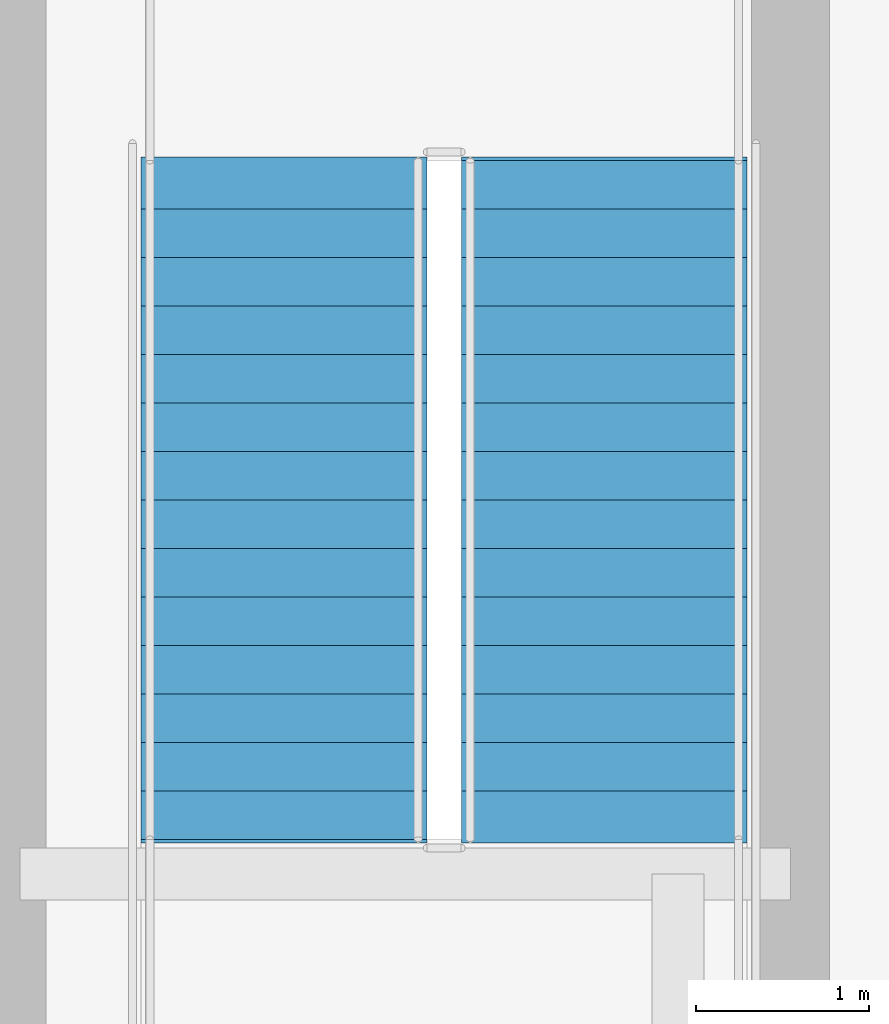
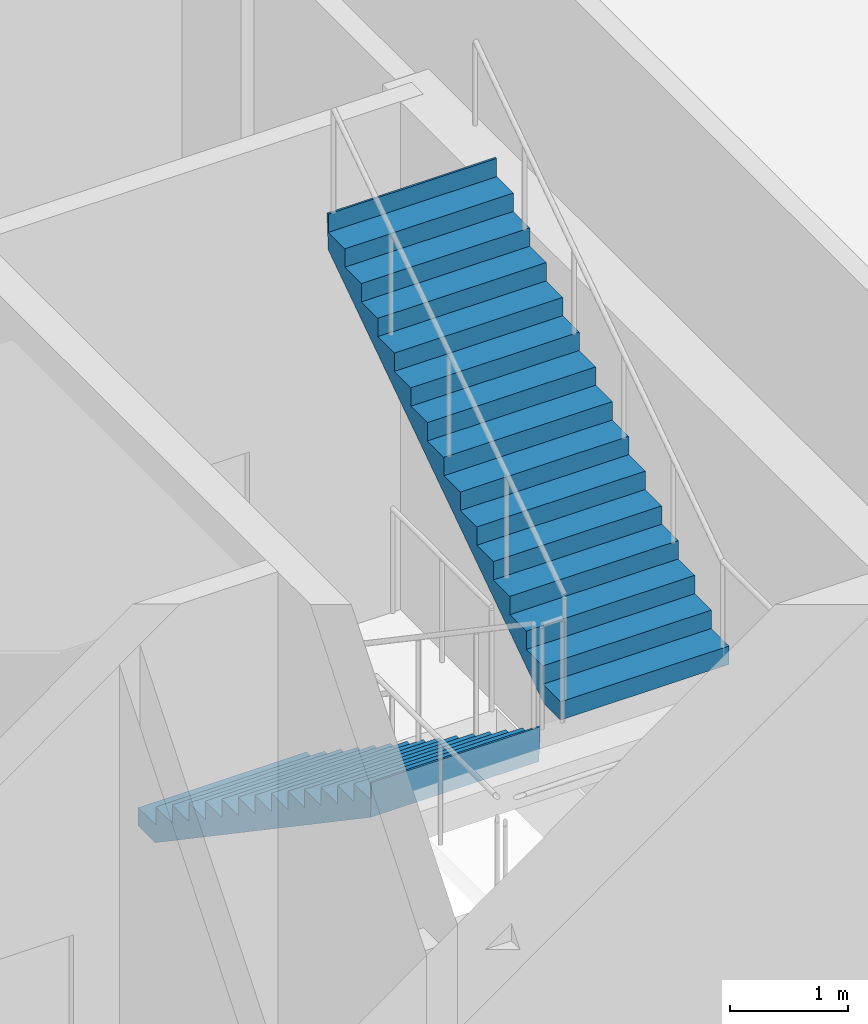
# One storey, part 6 of 9: 2 stair flights, 1 element without a shape of its own.
"""IFC4 building model written with IfcOpenShell, lengths in metres."""

from ifc_helpers import new_model, si_unit, direction, frame, origin, place, context, subcontext, project, spatial, polygons, material, type_object, element, aggregate, save


model = new_model("IFC4")

# Units and contexts
model_context = context("Model", 3, precision=1e-05, world=origin(), true_north=direction((0.0, 1.0)))
body_context = subcontext(model_context, "Body", "Model", "MODEL_VIEW")
ifc_project = project(units=[si_unit("LENGTHUNIT", "METRE"), si_unit("AREAUNIT", "SQUARE_METRE"), si_unit("VOLUMEUNIT", "CUBIC_METRE"), si_unit("PLANEANGLEUNIT", "RADIAN"), si_unit("MASSUNIT", "GRAM", prefix="KILO")], contexts=[model_context])

# Site, building, storey
site_placement = place(None, origin())
site = spatial("IfcSite", under=ifc_project, at=site_placement, CompositionType="ELEMENT")
building_placement = place(site_placement, origin())
building = spatial("IfcBuilding", under=site, at=building_placement, Name="Serunith Strait Residences", CompositionType="ELEMENT")
storey_placement = place(building_placement, frame((0.0, 0.0, 21.0)))
storey = spatial("IfcBuildingStorey", under=building, at=storey_placement, Name="L04", CompositionType="ELEMENT", Elevation=21.0)

# Stair, stair flights
ifc_material = material(Name="Concrete C50/60", Category="concrete")
stair_type = type_object("IfcStairType", Name="STR-CORE-2", PredefinedType="HALF_TURN_STAIR", material=ifc_material)
stair_placement = place(storey_placement, origin())
stair = element("IfcStair", 1, at=stair_placement, inside=storey, type_object=stair_type, Name="L04 Protected Escape Stair ST-2", PredefinedType="HALF_TURN_STAIR")
stair_flight_type = type_object("IfcStairFlightType", Name="FLT-CORE-2", PredefinedType="STRAIGHT", material=ifc_material)
stair_flight_1_placement = place(storey_placement, frame((38.47509765625, 23.3701171875, 0.0), z_axis=(0.0, 0.0, 1.0), x_axis=(0.0, -1.0, 0.0)))
stair_flight_1 = element("IfcStairFlight", 2, at=stair_flight_1_placement, type_object=stair_flight_type, Name="ST-2 flight 1", NumberOfRisers=15, NumberOfTreads=14, PredefinedType="STRAIGHT", RiserHeight=0.19, TreadLength=0.28, context=body_context, shape_type="Tessellation", body=[
    polygons([(-0.02001953125, -0.824951171875, 0.0), (-0.02001953125, -0.824951171875, 0.18994140625), (0.280029296875, -0.824951171875, 0.18994140625), (0.280029296875, -0.824951171875, 0.3798828125), (0.56005859375, -0.824951171875, 0.3798828125), (0.56005859375, -0.824951171875, 0.570068359375), (0.840087890625, -0.824951171875, 0.570068359375), (0.840087890625, -0.824951171875, 0.760009765625), (1.1201171875, -0.824951171875, 0.760009765625), (1.1201171875, -0.824951171875, 0.949951171875), (1.39990234375, -0.824951171875, 0.949951171875), (1.39990234375, -0.824951171875, 1.139892578125), (1.679931640625, -0.824951171875, 1.139892578125), (1.679931640625, -0.824951171875, 1.330078125), (1.9599609375, -0.824951171875, 1.330078125), (1.9599609375, -0.824951171875, 1.52001953125), (2.239990234375, -0.824951171875, 1.52001953125), (2.239990234375, -0.824951171875, 1.7099609375), (2.52001953125, -0.824951171875, 1.7099609375), (2.52001953125, -0.824951171875, 1.89990234375), (2.800048828125, -0.824951171875, 1.89990234375), (2.800048828125, -0.824951171875, 2.090087890625), (3.080078125, -0.824951171875, 2.090087890625), (3.080078125, -0.824951171875, 2.280029296875), (3.360107421875, -0.824951171875, 2.280029296875), (3.360107421875, -0.824951171875, 2.469970703125), (3.639892578125, -0.824951171875, 2.469970703125), (3.639892578125, -0.824951171875, 2.659912109375), (3.919921875, -0.824951171875, 2.659912109375), (3.919921875, -0.824951171875, 2.85009765625), (3.93994140625, -0.824951171875, 2.85009765625), (3.93994140625, -0.824951171875, 2.7900390625), (3.919921875, -0.824951171875, 2.478759765625), (0.266845703125, -0.824951171875, 0.0), (-0.02001953125, -0.41259765625, 0.0), (-0.02001953125, -0.41259765625, 0.18994140625), (0.280029296875, -0.41259765625, 0.18994140625), (0.280029296875, -0.41259765625, 0.3798828125), (0.56005859375, -0.41259765625, 0.3798828125), (0.56005859375, -0.41259765625, 0.570068359375), (0.840087890625, -0.41259765625, 0.570068359375), (0.840087890625, -0.41259765625, 0.760009765625), (1.1201171875, -0.41259765625, 0.760009765625), (1.1201171875, -0.41259765625, 0.949951171875), (1.39990234375, -0.41259765625, 0.949951171875), (1.39990234375, -0.41259765625, 1.139892578125), (1.679931640625, -0.41259765625, 1.139892578125), (1.679931640625, -0.41259765625, 1.330078125), (1.9599609375, -0.41259765625, 1.330078125), (1.9599609375, -0.41259765625, 1.52001953125), (2.239990234375, -0.41259765625, 1.52001953125), (2.239990234375, -0.41259765625, 1.7099609375), (2.52001953125, -0.41259765625, 1.7099609375), (2.52001953125, -0.41259765625, 1.89990234375), (2.800048828125, -0.41259765625, 1.89990234375), (2.800048828125, -0.41259765625, 2.090087890625), (3.080078125, -0.41259765625, 2.090087890625), (3.080078125, -0.41259765625, 2.280029296875), (3.360107421875, -0.41259765625, 2.280029296875), (3.360107421875, -0.41259765625, 2.469970703125), (3.639892578125, -0.41259765625, 2.469970703125), (3.639892578125, -0.41259765625, 2.659912109375), (3.919921875, -0.41259765625, 2.659912109375), (3.919921875, -0.41259765625, 2.85009765625), (3.93994140625, -0.41259765625, 2.85009765625), (3.93994140625, -0.41259765625, 2.7900390625), (3.919921875, -0.41259765625, 2.478759765625), (0.266845703125, -0.41259765625, 0.0), (-0.02001953125, 0.0, 0.0), (-0.02001953125, 0.0, 0.18994140625), (0.280029296875, 0.0, 0.18994140625), (0.280029296875, 0.0, 0.3798828125), (0.56005859375, 0.0, 0.3798828125), (0.56005859375, 0.0, 0.570068359375), (0.840087890625, 0.0, 0.570068359375), (0.840087890625, 0.0, 0.760009765625), (1.1201171875, 0.0, 0.760009765625), (1.1201171875, 0.0, 0.949951171875), (1.39990234375, 0.0, 0.949951171875), (1.39990234375, 0.0, 1.139892578125), (1.679931640625, 0.0, 1.139892578125), (1.679931640625, 0.0, 1.330078125), (1.9599609375, 0.0, 1.330078125), (1.9599609375, 0.0, 1.52001953125), (2.239990234375, 0.0, 1.52001953125), (2.239990234375, 0.0, 1.7099609375), (2.52001953125, 0.0, 1.7099609375), (2.52001953125, 0.0, 1.89990234375), (2.800048828125, 0.0, 1.89990234375), (2.800048828125, 0.0, 2.090087890625), (3.080078125, 0.0, 2.090087890625), (3.080078125, 0.0, 2.280029296875), (3.360107421875, 0.0, 2.280029296875), (3.360107421875, 0.0, 2.469970703125), (3.639892578125, 0.0, 2.469970703125), (3.639892578125, 0.0, 2.659912109375), (3.919921875, 0.0, 2.659912109375), (3.919921875, 0.0, 2.85009765625), (3.93994140625, 0.0, 2.85009765625), (3.93994140625, 0.0, 2.7900390625), (3.919921875, 0.0, 2.478759765625), (0.266845703125, 0.0, 0.0), (-0.02001953125, 0.41259765625, 0.0), (-0.02001953125, 0.41259765625, 0.18994140625), (0.280029296875, 0.41259765625, 0.18994140625), (0.280029296875, 0.41259765625, 0.3798828125), (0.56005859375, 0.41259765625, 0.3798828125), (0.56005859375, 0.41259765625, 0.570068359375), (0.840087890625, 0.41259765625, 0.570068359375), (0.840087890625, 0.41259765625, 0.760009765625), (1.1201171875, 0.41259765625, 0.760009765625), (1.1201171875, 0.41259765625, 0.949951171875), (1.39990234375, 0.41259765625, 0.949951171875), (1.39990234375, 0.41259765625, 1.139892578125), (1.679931640625, 0.41259765625, 1.139892578125), (1.679931640625, 0.41259765625, 1.330078125), (1.9599609375, 0.41259765625, 1.330078125), (1.9599609375, 0.41259765625, 1.52001953125), (2.239990234375, 0.41259765625, 1.52001953125), (2.239990234375, 0.41259765625, 1.7099609375), (2.52001953125, 0.41259765625, 1.7099609375), (2.52001953125, 0.41259765625, 1.89990234375), (2.800048828125, 0.41259765625, 1.89990234375), (2.800048828125, 0.41259765625, 2.090087890625), (3.080078125, 0.41259765625, 2.090087890625), (3.080078125, 0.41259765625, 2.280029296875), (3.360107421875, 0.41259765625, 2.280029296875), (3.360107421875, 0.41259765625, 2.469970703125), (3.639892578125, 0.41259765625, 2.469970703125), (3.639892578125, 0.41259765625, 2.659912109375), (3.919921875, 0.41259765625, 2.659912109375), (3.919921875, 0.41259765625, 2.85009765625), (3.93994140625, 0.41259765625, 2.85009765625), (3.93994140625, 0.41259765625, 2.7900390625), (3.919921875, 0.41259765625, 2.478759765625), (0.266845703125, 0.41259765625, 0.0), (-0.02001953125, 0.824951171875, 0.0), (-0.02001953125, 0.824951171875, 0.18994140625), (0.280029296875, 0.824951171875, 0.18994140625), (0.280029296875, 0.824951171875, 0.3798828125), (0.56005859375, 0.824951171875, 0.3798828125), (0.56005859375, 0.824951171875, 0.570068359375), (0.840087890625, 0.824951171875, 0.570068359375), (0.840087890625, 0.824951171875, 0.760009765625), (1.1201171875, 0.824951171875, 0.760009765625), (1.1201171875, 0.824951171875, 0.949951171875), (1.39990234375, 0.824951171875, 0.949951171875), (1.39990234375, 0.824951171875, 1.139892578125), (1.679931640625, 0.824951171875, 1.139892578125), (1.679931640625, 0.824951171875, 1.330078125), (1.9599609375, 0.824951171875, 1.330078125), (1.9599609375, 0.824951171875, 1.52001953125), (2.239990234375, 0.824951171875, 1.52001953125), (2.239990234375, 0.824951171875, 1.7099609375), (2.52001953125, 0.824951171875, 1.7099609375), (2.52001953125, 0.824951171875, 1.89990234375), (2.800048828125, 0.824951171875, 1.89990234375), (2.800048828125, 0.824951171875, 2.090087890625), (3.080078125, 0.824951171875, 2.090087890625), (3.080078125, 0.824951171875, 2.280029296875), (3.360107421875, 0.824951171875, 2.280029296875), (3.360107421875, 0.824951171875, 2.469970703125), (3.639892578125, 0.824951171875, 2.469970703125), (3.639892578125, 0.824951171875, 2.659912109375), (3.919921875, 0.824951171875, 2.659912109375), (3.919921875, 0.824951171875, 2.85009765625), (3.93994140625, 0.824951171875, 2.85009765625), (3.93994140625, 0.824951171875, 2.7900390625), (3.919921875, 0.824951171875, 2.478759765625), (0.266845703125, 0.824951171875, 0.0)], [[[1, 2, 36, 35]], [[2, 3, 37, 36]], [[3, 4, 38, 37]], [[4, 5, 39, 38]], [[5, 6, 40, 39]], [[6, 7, 41, 40]], [[7, 8, 42, 41]], [[8, 9, 43, 42]], [[9, 10, 44, 43]], [[10, 11, 45, 44]], [[11, 12, 46, 45]], [[12, 13, 47, 46]], [[13, 14, 48, 47]], [[14, 15, 49, 48]], [[15, 16, 50, 49]], [[16, 17, 51, 50]], [[17, 18, 52, 51]], [[18, 19, 53, 52]], [[19, 20, 54, 53]], [[20, 21, 55, 54]], [[21, 22, 56, 55]], [[22, 23, 57, 56]], [[23, 24, 58, 57]], [[24, 25, 59, 58]], [[25, 26, 60, 59]], [[26, 27, 61, 60]], [[27, 28, 62, 61]], [[28, 29, 63, 62]], [[29, 30, 64, 63]], [[30, 31, 65, 64]], [[31, 32, 66, 65]], [[32, 33, 67, 66]], [[33, 34, 68, 67]], [[34, 1, 35, 68]], [[35, 36, 70, 69]], [[36, 37, 71, 70]], [[37, 38, 72, 71]], [[38, 39, 73, 72]], [[39, 40, 74, 73]], [[40, 41, 75, 74]], [[41, 42, 76, 75]], [[42, 43, 77, 76]], [[43, 44, 78, 77]], [[44, 45, 79, 78]], [[45, 46, 80, 79]], [[46, 47, 81, 80]], [[47, 48, 82, 81]], [[48, 49, 83, 82]], [[49, 50, 84, 83]], [[50, 51, 85, 84]], [[51, 52, 86, 85]], [[52, 53, 87, 86]], [[53, 54, 88, 87]], [[54, 55, 89, 88]], [[55, 56, 90, 89]], [[56, 57, 91, 90]], [[57, 58, 92, 91]], [[58, 59, 93, 92]], [[59, 60, 94, 93]], [[60, 61, 95, 94]], [[61, 62, 96, 95]], [[62, 63, 97, 96]], [[63, 64, 98, 97]], [[64, 65, 99, 98]], [[65, 66, 100, 99]], [[66, 67, 101, 100]], [[67, 68, 102, 101]], [[68, 35, 69, 102]], [[69, 70, 104, 103]], [[70, 71, 105, 104]], [[71, 72, 106, 105]], [[72, 73, 107, 106]], [[73, 74, 108, 107]], [[74, 75, 109, 108]], [[75, 76, 110, 109]], [[76, 77, 111, 110]], [[77, 78, 112, 111]], [[78, 79, 113, 112]], [[79, 80, 114, 113]], [[80, 81, 115, 114]], [[81, 82, 116, 115]], [[82, 83, 117, 116]], [[83, 84, 118, 117]], [[84, 85, 119, 118]], [[85, 86, 120, 119]], [[86, 87, 121, 120]], [[87, 88, 122, 121]], [[88, 89, 123, 122]], [[89, 90, 124, 123]], [[90, 91, 125, 124]], [[91, 92, 126, 125]], [[92, 93, 127, 126]], [[93, 94, 128, 127]], [[94, 95, 129, 128]], [[95, 96, 130, 129]], [[96, 97, 131, 130]], [[97, 98, 132, 131]], [[98, 99, 133, 132]], [[99, 100, 134, 133]], [[100, 101, 135, 134]], [[101, 102, 136, 135]], [[102, 69, 103, 136]], [[103, 104, 138, 137]], [[104, 105, 139, 138]], [[105, 106, 140, 139]], [[106, 107, 141, 140]], [[107, 108, 142, 141]], [[108, 109, 143, 142]], [[109, 110, 144, 143]], [[110, 111, 145, 144]], [[111, 112, 146, 145]], [[112, 113, 147, 146]], [[113, 114, 148, 147]], [[114, 115, 149, 148]], [[115, 116, 150, 149]], [[116, 117, 151, 150]], [[117, 118, 152, 151]], [[118, 119, 153, 152]], [[119, 120, 154, 153]], [[120, 121, 155, 154]], [[121, 122, 156, 155]], [[122, 123, 157, 156]], [[123, 124, 158, 157]], [[124, 125, 159, 158]], [[125, 126, 160, 159]], [[126, 127, 161, 160]], [[127, 128, 162, 161]], [[128, 129, 163, 162]], [[129, 130, 164, 163]], [[130, 131, 165, 164]], [[131, 132, 166, 165]], [[132, 133, 167, 166]], [[133, 134, 168, 167]], [[134, 135, 169, 168]], [[135, 136, 170, 169]], [[136, 103, 137, 170]], [[34, 33, 32, 31, 30, 29, 28, 27, 26, 25, 24, 23, 22, 21, 20, 19, 18, 17, 16, 15, 14, 13, 12, 11, 10, 9, 8, 7, 6, 5, 4, 3, 2, 1]], [[137, 138, 139, 140, 141, 142, 143, 144, 145, 146, 147, 148, 149, 150, 151, 152, 153, 154, 155, 156, 157, 158, 159, 160, 161, 162, 163, 164, 165, 166, 167, 168, 169, 170]]], closed=True),
])
stair_flight_2_placement = place(storey_placement, frame((40.324951171875, 19.449951171875, 2.85009765625), z_axis=(0.0, 0.0, 1.0), x_axis=(0.0, 1.0, 0.0)))
stair_flight_2 = element("IfcStairFlight", 3, at=stair_flight_2_placement, type_object=stair_flight_type, Name="ST-2 flight 2", NumberOfRisers=15, NumberOfTreads=14, PredefinedType="STRAIGHT", RiserHeight=0.19, TreadLength=0.28, context=body_context, shape_type="Tessellation", body=[
    polygons([(-0.02001953125, -0.824951171875, 0.0), (-0.02001953125, -0.824951171875, 0.18994140625), (0.280029296875, -0.824951171875, 0.18994140625), (0.280029296875, -0.824951171875, 0.3798828125), (0.56005859375, -0.824951171875, 0.3798828125), (0.56005859375, -0.824951171875, 0.570068359375), (0.840087890625, -0.824951171875, 0.570068359375), (0.840087890625, -0.824951171875, 0.760009765625), (1.1201171875, -0.824951171875, 0.760009765625), (1.1201171875, -0.824951171875, 0.949951171875), (1.39990234375, -0.824951171875, 0.949951171875), (1.39990234375, -0.824951171875, 1.139892578125), (1.679931640625, -0.824951171875, 1.139892578125), (1.679931640625, -0.824951171875, 1.330078125), (1.9599609375, -0.824951171875, 1.330078125), (1.9599609375, -0.824951171875, 1.52001953125), (2.239990234375, -0.824951171875, 1.52001953125), (2.239990234375, -0.824951171875, 1.7099609375), (2.52001953125, -0.824951171875, 1.7099609375), (2.52001953125, -0.824951171875, 1.89990234375), (2.800048828125, -0.824951171875, 1.89990234375), (2.800048828125, -0.824951171875, 2.090087890625), (3.080078125, -0.824951171875, 2.090087890625), (3.080078125, -0.824951171875, 2.280029296875), (3.360107421875, -0.824951171875, 2.280029296875), (3.360107421875, -0.824951171875, 2.469970703125), (3.639892578125, -0.824951171875, 2.469970703125), (3.639892578125, -0.824951171875, 2.659912109375), (3.919921875, -0.824951171875, 2.659912109375), (3.919921875, -0.824951171875, 2.85009765625), (3.93994140625, -0.824951171875, 2.85009765625), (3.93994140625, -0.824951171875, 2.7900390625), (3.919921875, -0.824951171875, 2.478759765625), (0.266845703125, -0.824951171875, 0.0), (-0.02001953125, -0.41259765625, 0.0), (-0.02001953125, -0.41259765625, 0.18994140625), (0.280029296875, -0.41259765625, 0.18994140625), (0.280029296875, -0.41259765625, 0.3798828125), (0.56005859375, -0.41259765625, 0.3798828125), (0.56005859375, -0.41259765625, 0.570068359375), (0.840087890625, -0.41259765625, 0.570068359375), (0.840087890625, -0.41259765625, 0.760009765625), (1.1201171875, -0.41259765625, 0.760009765625), (1.1201171875, -0.41259765625, 0.949951171875), (1.39990234375, -0.41259765625, 0.949951171875), (1.39990234375, -0.41259765625, 1.139892578125), (1.679931640625, -0.41259765625, 1.139892578125), (1.679931640625, -0.41259765625, 1.330078125), (1.9599609375, -0.41259765625, 1.330078125), (1.9599609375, -0.41259765625, 1.52001953125), (2.239990234375, -0.41259765625, 1.52001953125), (2.239990234375, -0.41259765625, 1.7099609375), (2.52001953125, -0.41259765625, 1.7099609375), (2.52001953125, -0.41259765625, 1.89990234375), (2.800048828125, -0.41259765625, 1.89990234375), (2.800048828125, -0.41259765625, 2.090087890625), (3.080078125, -0.41259765625, 2.090087890625), (3.080078125, -0.41259765625, 2.280029296875), (3.360107421875, -0.41259765625, 2.280029296875), (3.360107421875, -0.41259765625, 2.469970703125), (3.639892578125, -0.41259765625, 2.469970703125), (3.639892578125, -0.41259765625, 2.659912109375), (3.919921875, -0.41259765625, 2.659912109375), (3.919921875, -0.41259765625, 2.85009765625), (3.93994140625, -0.41259765625, 2.85009765625), (3.93994140625, -0.41259765625, 2.7900390625), (3.919921875, -0.41259765625, 2.478759765625), (0.266845703125, -0.41259765625, 0.0), (-0.02001953125, 0.0, 0.0), (-0.02001953125, 0.0, 0.18994140625), (0.280029296875, 0.0, 0.18994140625), (0.280029296875, 0.0, 0.3798828125), (0.56005859375, 0.0, 0.3798828125), (0.56005859375, 0.0, 0.570068359375), (0.840087890625, 0.0, 0.570068359375), (0.840087890625, 0.0, 0.760009765625), (1.1201171875, 0.0, 0.760009765625), (1.1201171875, 0.0, 0.949951171875), (1.39990234375, 0.0, 0.949951171875), (1.39990234375, 0.0, 1.139892578125), (1.679931640625, 0.0, 1.139892578125), (1.679931640625, 0.0, 1.330078125), (1.9599609375, 0.0, 1.330078125), (1.9599609375, 0.0, 1.52001953125), (2.239990234375, 0.0, 1.52001953125), (2.239990234375, 0.0, 1.7099609375), (2.52001953125, 0.0, 1.7099609375), (2.52001953125, 0.0, 1.89990234375), (2.800048828125, 0.0, 1.89990234375), (2.800048828125, 0.0, 2.090087890625), (3.080078125, 0.0, 2.090087890625), (3.080078125, 0.0, 2.280029296875), (3.360107421875, 0.0, 2.280029296875), (3.360107421875, 0.0, 2.469970703125), (3.639892578125, 0.0, 2.469970703125), (3.639892578125, 0.0, 2.659912109375), (3.919921875, 0.0, 2.659912109375), (3.919921875, 0.0, 2.85009765625), (3.93994140625, 0.0, 2.85009765625), (3.93994140625, 0.0, 2.7900390625), (3.919921875, 0.0, 2.478759765625), (0.266845703125, 0.0, 0.0), (-0.02001953125, 0.41259765625, 0.0), (-0.02001953125, 0.41259765625, 0.18994140625), (0.280029296875, 0.41259765625, 0.18994140625), (0.280029296875, 0.41259765625, 0.3798828125), (0.56005859375, 0.41259765625, 0.3798828125), (0.56005859375, 0.41259765625, 0.570068359375), (0.840087890625, 0.41259765625, 0.570068359375), (0.840087890625, 0.41259765625, 0.760009765625), (1.1201171875, 0.41259765625, 0.760009765625), (1.1201171875, 0.41259765625, 0.949951171875), (1.39990234375, 0.41259765625, 0.949951171875), (1.39990234375, 0.41259765625, 1.139892578125), (1.679931640625, 0.41259765625, 1.139892578125), (1.679931640625, 0.41259765625, 1.330078125), (1.9599609375, 0.41259765625, 1.330078125), (1.9599609375, 0.41259765625, 1.52001953125), (2.239990234375, 0.41259765625, 1.52001953125), (2.239990234375, 0.41259765625, 1.7099609375), (2.52001953125, 0.41259765625, 1.7099609375), (2.52001953125, 0.41259765625, 1.89990234375), (2.800048828125, 0.41259765625, 1.89990234375), (2.800048828125, 0.41259765625, 2.090087890625), (3.080078125, 0.41259765625, 2.090087890625), (3.080078125, 0.41259765625, 2.280029296875), (3.360107421875, 0.41259765625, 2.280029296875), (3.360107421875, 0.41259765625, 2.469970703125), (3.639892578125, 0.41259765625, 2.469970703125), (3.639892578125, 0.41259765625, 2.659912109375), (3.919921875, 0.41259765625, 2.659912109375), (3.919921875, 0.41259765625, 2.85009765625), (3.93994140625, 0.41259765625, 2.85009765625), (3.93994140625, 0.41259765625, 2.7900390625), (3.919921875, 0.41259765625, 2.478759765625), (0.266845703125, 0.41259765625, 0.0), (-0.02001953125, 0.824951171875, 0.0), (-0.02001953125, 0.824951171875, 0.18994140625), (0.280029296875, 0.824951171875, 0.18994140625), (0.280029296875, 0.824951171875, 0.3798828125), (0.56005859375, 0.824951171875, 0.3798828125), (0.56005859375, 0.824951171875, 0.570068359375), (0.840087890625, 0.824951171875, 0.570068359375), (0.840087890625, 0.824951171875, 0.760009765625), (1.1201171875, 0.824951171875, 0.760009765625), (1.1201171875, 0.824951171875, 0.949951171875), (1.39990234375, 0.824951171875, 0.949951171875), (1.39990234375, 0.824951171875, 1.139892578125), (1.679931640625, 0.824951171875, 1.139892578125), (1.679931640625, 0.824951171875, 1.330078125), (1.9599609375, 0.824951171875, 1.330078125), (1.9599609375, 0.824951171875, 1.52001953125), (2.239990234375, 0.824951171875, 1.52001953125), (2.239990234375, 0.824951171875, 1.7099609375), (2.52001953125, 0.824951171875, 1.7099609375), (2.52001953125, 0.824951171875, 1.89990234375), (2.800048828125, 0.824951171875, 1.89990234375), (2.800048828125, 0.824951171875, 2.090087890625), (3.080078125, 0.824951171875, 2.090087890625), (3.080078125, 0.824951171875, 2.280029296875), (3.360107421875, 0.824951171875, 2.280029296875), (3.360107421875, 0.824951171875, 2.469970703125), (3.639892578125, 0.824951171875, 2.469970703125), (3.639892578125, 0.824951171875, 2.659912109375), (3.919921875, 0.824951171875, 2.659912109375), (3.919921875, 0.824951171875, 2.85009765625), (3.93994140625, 0.824951171875, 2.85009765625), (3.93994140625, 0.824951171875, 2.7900390625), (3.919921875, 0.824951171875, 2.478759765625), (0.266845703125, 0.824951171875, 0.0)], [[[1, 2, 36, 35]], [[2, 3, 37, 36]], [[3, 4, 38, 37]], [[4, 5, 39, 38]], [[5, 6, 40, 39]], [[6, 7, 41, 40]], [[7, 8, 42, 41]], [[8, 9, 43, 42]], [[9, 10, 44, 43]], [[10, 11, 45, 44]], [[11, 12, 46, 45]], [[12, 13, 47, 46]], [[13, 14, 48, 47]], [[14, 15, 49, 48]], [[15, 16, 50, 49]], [[16, 17, 51, 50]], [[17, 18, 52, 51]], [[18, 19, 53, 52]], [[19, 20, 54, 53]], [[20, 21, 55, 54]], [[21, 22, 56, 55]], [[22, 23, 57, 56]], [[23, 24, 58, 57]], [[24, 25, 59, 58]], [[25, 26, 60, 59]], [[26, 27, 61, 60]], [[27, 28, 62, 61]], [[28, 29, 63, 62]], [[29, 30, 64, 63]], [[30, 31, 65, 64]], [[31, 32, 66, 65]], [[32, 33, 67, 66]], [[33, 34, 68, 67]], [[34, 1, 35, 68]], [[35, 36, 70, 69]], [[36, 37, 71, 70]], [[37, 38, 72, 71]], [[38, 39, 73, 72]], [[39, 40, 74, 73]], [[40, 41, 75, 74]], [[41, 42, 76, 75]], [[42, 43, 77, 76]], [[43, 44, 78, 77]], [[44, 45, 79, 78]], [[45, 46, 80, 79]], [[46, 47, 81, 80]], [[47, 48, 82, 81]], [[48, 49, 83, 82]], [[49, 50, 84, 83]], [[50, 51, 85, 84]], [[51, 52, 86, 85]], [[52, 53, 87, 86]], [[53, 54, 88, 87]], [[54, 55, 89, 88]], [[55, 56, 90, 89]], [[56, 57, 91, 90]], [[57, 58, 92, 91]], [[58, 59, 93, 92]], [[59, 60, 94, 93]], [[60, 61, 95, 94]], [[61, 62, 96, 95]], [[62, 63, 97, 96]], [[63, 64, 98, 97]], [[64, 65, 99, 98]], [[65, 66, 100, 99]], [[66, 67, 101, 100]], [[67, 68, 102, 101]], [[68, 35, 69, 102]], [[69, 70, 104, 103]], [[70, 71, 105, 104]], [[71, 72, 106, 105]], [[72, 73, 107, 106]], [[73, 74, 108, 107]], [[74, 75, 109, 108]], [[75, 76, 110, 109]], [[76, 77, 111, 110]], [[77, 78, 112, 111]], [[78, 79, 113, 112]], [[79, 80, 114, 113]], [[80, 81, 115, 114]], [[81, 82, 116, 115]], [[82, 83, 117, 116]], [[83, 84, 118, 117]], [[84, 85, 119, 118]], [[85, 86, 120, 119]], [[86, 87, 121, 120]], [[87, 88, 122, 121]], [[88, 89, 123, 122]], [[89, 90, 124, 123]], [[90, 91, 125, 124]], [[91, 92, 126, 125]], [[92, 93, 127, 126]], [[93, 94, 128, 127]], [[94, 95, 129, 128]], [[95, 96, 130, 129]], [[96, 97, 131, 130]], [[97, 98, 132, 131]], [[98, 99, 133, 132]], [[99, 100, 134, 133]], [[100, 101, 135, 134]], [[101, 102, 136, 135]], [[102, 69, 103, 136]], [[103, 104, 138, 137]], [[104, 105, 139, 138]], [[105, 106, 140, 139]], [[106, 107, 141, 140]], [[107, 108, 142, 141]], [[108, 109, 143, 142]], [[109, 110, 144, 143]], [[110, 111, 145, 144]], [[111, 112, 146, 145]], [[112, 113, 147, 146]], [[113, 114, 148, 147]], [[114, 115, 149, 148]], [[115, 116, 150, 149]], [[116, 117, 151, 150]], [[117, 118, 152, 151]], [[118, 119, 153, 152]], [[119, 120, 154, 153]], [[120, 121, 155, 154]], [[121, 122, 156, 155]], [[122, 123, 157, 156]], [[123, 124, 158, 157]], [[124, 125, 159, 158]], [[125, 126, 160, 159]], [[126, 127, 161, 160]], [[127, 128, 162, 161]], [[128, 129, 163, 162]], [[129, 130, 164, 163]], [[130, 131, 165, 164]], [[131, 132, 166, 165]], [[132, 133, 167, 166]], [[133, 134, 168, 167]], [[134, 135, 169, 168]], [[135, 136, 170, 169]], [[136, 103, 137, 170]], [[34, 33, 32, 31, 30, 29, 28, 27, 26, 25, 24, 23, 22, 21, 20, 19, 18, 17, 16, 15, 14, 13, 12, 11, 10, 9, 8, 7, 6, 5, 4, 3, 2, 1]], [[137, 138, 139, 140, 141, 142, 143, 144, 145, 146, 147, 148, 149, 150, 151, 152, 153, 154, 155, 156, 157, 158, 159, 160, 161, 162, 163, 164, 165, 166, 167, 168, 169, 170]]], closed=True),
])
aggregate(stair, [stair_flight_1, stair_flight_2])

save(model, "model.ifc")
